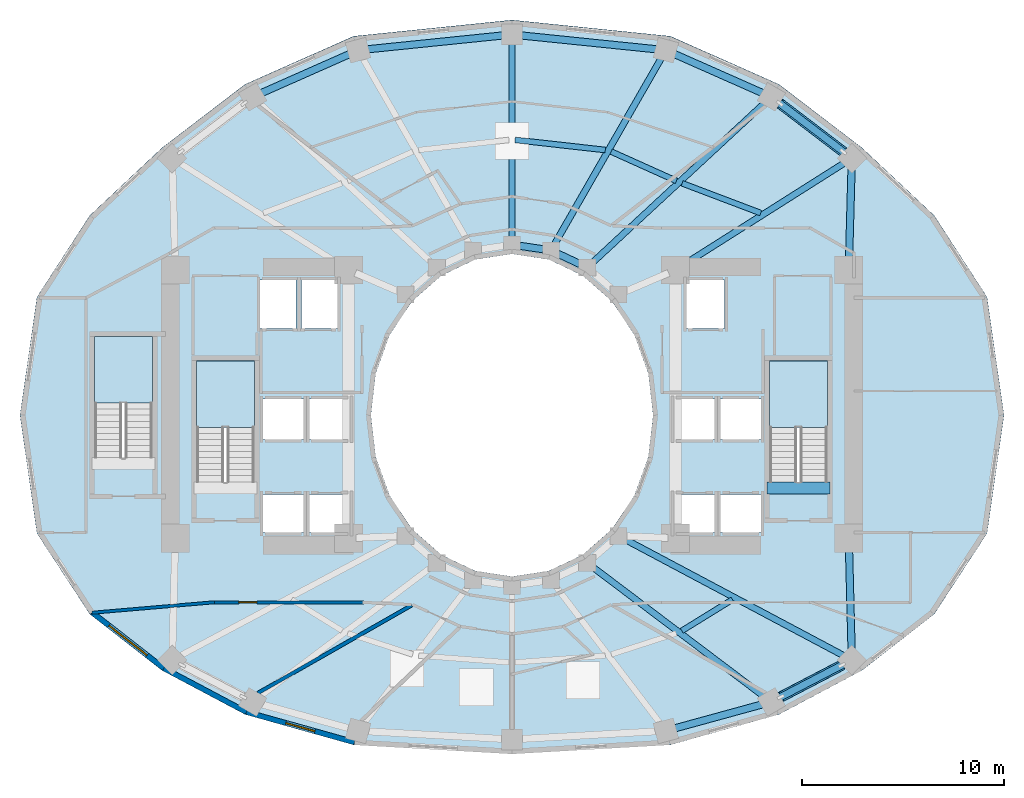
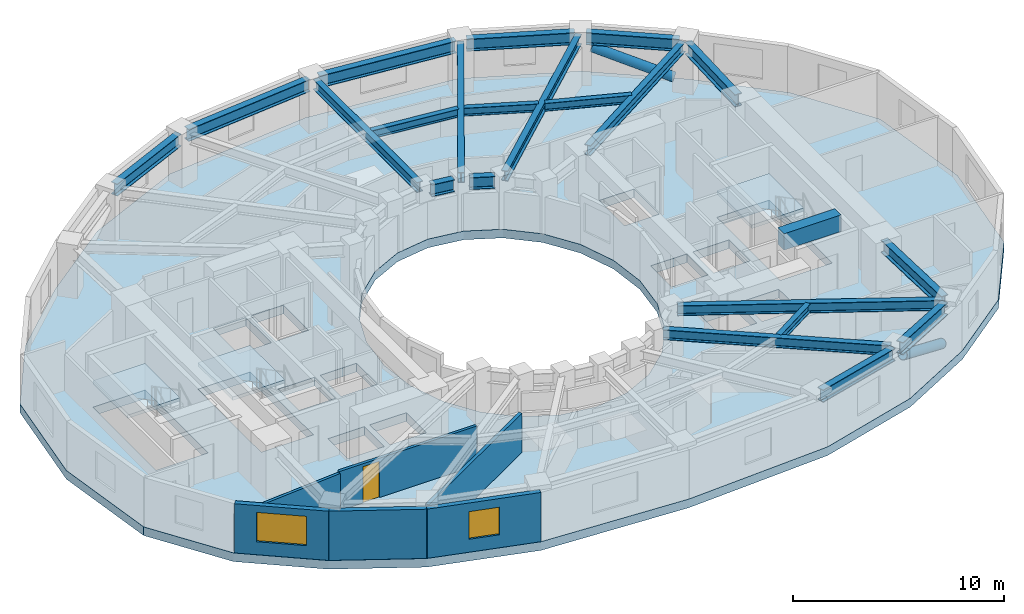
# One storey, part 2 of 9: 22 beams, 6 walls, 4 slabs, 2 members, 2 windows, 1 door, 3 openings, 3 elements without a shape of their own.
"""IFC4 building model written with IfcOpenShell, lengths in metres."""

from ifc_helpers import new_model, si_unit, direction, frame, frame_2d, origin, origin_2d, place, context, subcontext, project, spatial, polyline, rectangle, hollow_circle, i_section, outline, extrude, material, layer, layer_set, material_profile, profile_set, type_object, element, fill, aggregate, save


model = new_model("IFC4")

# Units and contexts
model_context = context("Model", 3, precision=1e-05, world=origin(), true_north=direction((0.0, 1.0)))
body_context = subcontext(model_context, "Body", "Model", "MODEL_VIEW")
ifc_project = project(units=[si_unit("LENGTHUNIT", "METRE"), si_unit("AREAUNIT", "SQUARE_METRE"), si_unit("VOLUMEUNIT", "CUBIC_METRE"), si_unit("PLANEANGLEUNIT", "RADIAN"), si_unit("MASSUNIT", "GRAM", prefix="KILO")], contexts=[model_context])

# Site, building, storey
site_placement = place(None, origin())
site = spatial("IfcSite", under=ifc_project, at=site_placement, CompositionType="ELEMENT")
building_placement = place(site_placement, origin())
building = spatial("IfcBuilding", under=site, at=building_placement, Name="Solvane Sanctuary Tower", CompositionType="ELEMENT")
storey_placement = place(building_placement, frame((0.0, 0.0, 76.300048828125)))
storey = spatial("IfcBuildingStorey", under=building, at=storey_placement, Name="L22", CompositionType="ELEMENT", Elevation=76.300048828125)

# Beams
ifc_material_1 = material(Name="Concrete C70/85", Category="concrete")
ifc_material_profile_1 = material_profile(ifc_material_1, rectangle(XDim=0.60009765625, YDim=0.949951171875, at=origin_2d()), Name="RC600X950")
ifc_profile_set_1 = profile_set([ifc_material_profile_1], Name="Concrete C70/85")
beam_type_1 = type_object("IfcBeamType", Name="Beam B-COUPLE RC600X950", PredefinedType="LINTEL", material=ifc_profile_set_1)
beam_1_placement = place(storey_placement, frame((44.64990234375, 19.399169921875, 2.625), z_axis=(1.0, 0.0, 0.0), x_axis=(0.0, 1.0, 0.0)))
element("IfcBeam", 1, at=beam_1_placement, inside=storey, type_object=beam_type_1, Name="L22 ST-2 Stair Floor Landing Trimmer", PredefinedType="LINTEL", context=body_context, shape_type="SweptSolid", body=[
    extrude(rectangle(XDim=0.60009765625, YDim=0.949951171875, at=origin_2d()), origin(), (0.0, 0.0, 1.0), 3.1201171875),
])
ifc_material_2 = material(Name="Steel ASTM A992 Grade 50", Category="steel")
ifc_material_profile_2 = material_profile(ifc_material_2, i_section(OverallWidth=0.31494140625, OverallDepth=0.575927734375, WebThickness=0.01513671875, FlangeThickness=0.0244140625, FilletRadius=0.014892578125, at=origin_2d()), Name="W21X122")
ifc_profile_set_2 = profile_set([ifc_material_profile_2], Name="Steel ASTM A992 Grade 50")
beam_type_2 = type_object("IfcBeamType", Name="Beam B-RAD-Z2 W21X122", PredefinedType="BEAM", material=ifc_profile_set_2)
beam_2_placement = place(storey_placement, frame((40.404052734375, 30.392578125, 2.58984375), z_axis=(0.844853889678, 0.534997107558, 0.0), x_axis=(-0.534997107558, 0.844853889678, 0.0)))
element("IfcBeam", 2, at=beam_2_placement, inside=storey, type_object=beam_type_2, Name="L22 Radial Composite Floor Beam 01", PredefinedType="BEAM", context=body_context, shape_type="SweptSolid", body=[
    extrude(i_section(OverallWidth=0.31494140625, OverallDepth=0.575927734375, WebThickness=0.01513671875, FlangeThickness=0.0244140625, FilletRadius=0.014892578125, at=origin_2d()), origin(), (0.0, 0.0, 1.0), 9.720458984375),
])
beam_3_placement = place(storey_placement, frame((35.935302734375, 30.516845703125, 2.58984375), z_axis=(0.733453775248, 0.679739332078, 0.0), x_axis=(-0.679739332078, 0.733453775248, 0.0)))
element("IfcBeam", 3, at=beam_3_placement, inside=storey, type_object=beam_type_2, Name="L22 Radial Composite Floor Beam 02", PredefinedType="BEAM", context=body_context, shape_type="SweptSolid", body=[
    extrude(i_section(OverallWidth=0.31494140625, OverallDepth=0.575927734375, WebThickness=0.01513671875, FlangeThickness=0.0244140625, FilletRadius=0.014892578125, at=origin_2d()), origin(), (0.0, 0.0, 1.0), 11.885498046875),
])
beam_4_placement = place(storey_placement, frame((34.0703125, 31.41455078125, 2.58984375), z_axis=(0.497792245326, 0.8672963049, 0.0), x_axis=(-0.8672963049, 0.497792245326, 0.0)))
element("IfcBeam", 4, at=beam_4_placement, inside=storey, type_object=beam_type_2, Name="L22 Radial Composite Floor Beam 03", PredefinedType="BEAM", context=body_context, shape_type="SweptSolid", body=[
    extrude(i_section(OverallWidth=0.31494140625, OverallDepth=0.575927734375, WebThickness=0.01513671875, FlangeThickness=0.0244140625, FilletRadius=0.014892578125, at=origin_2d()), origin(), (0.0, 0.0, 1.0), 10.887451171875),
])
beam_5_placement = place(storey_placement, frame((32.0, 31.739990234375, 2.58984375), z_axis=(0.0, 1.0, 0.0), x_axis=(-1.0, 0.0, 0.0)))
element("IfcBeam", 5, at=beam_5_placement, inside=storey, type_object=beam_type_2, Name="L22 Radial Composite Floor Beam 04", PredefinedType="BEAM", context=body_context, shape_type="SweptSolid", body=[
    extrude(i_section(OverallWidth=0.31494140625, OverallDepth=0.575927734375, WebThickness=0.01513671875, FlangeThickness=0.0244140625, FilletRadius=0.014892578125, at=origin_2d()), origin(), (0.0, 0.0, 1.0), 9.860107421875),
])
beam_6_placement = place(storey_placement, frame((35.95361328125, 15.504638671875, 2.58984375), z_axis=(0.798116040134, -0.602503764703, 0.0), x_axis=(0.602503764703, 0.798116040134, 0.0)))
element("IfcBeam", 6, at=beam_6_placement, inside=storey, type_object=beam_type_2, Name="L22 Radial Composite Floor Beam 13", PredefinedType="BEAM", context=body_context, shape_type="SweptSolid", body=[
    extrude(i_section(OverallWidth=0.31494140625, OverallDepth=0.575927734375, WebThickness=0.01513671875, FlangeThickness=0.0244140625, FilletRadius=0.014892578125, at=origin_2d()), origin(), (0.0, 0.0, 1.0), 10.876953125),
])
beam_7_placement = place(storey_placement, frame((37.522216796875, 16.886474609375, 2.58984375), z_axis=(0.882951984843, -0.469463302572, 0.0), x_axis=(0.469463302572, 0.882951984843, 0.0)))
element("IfcBeam", 7, at=beam_7_placement, inside=storey, type_object=beam_type_2, Name="L22 Radial Composite Floor Beam 14", PredefinedType="BEAM", context=body_context, shape_type="SweptSolid", body=[
    extrude(i_section(OverallWidth=0.31494140625, OverallDepth=0.575927734375, WebThickness=0.01513671875, FlangeThickness=0.0244140625, FilletRadius=0.014892578125, at=origin_2d()), origin(), (0.0, 0.0, 1.0), 12.552734375),
])
ifc_material_profile_3 = material_profile(ifc_material_2, i_section(OverallWidth=0.35498046875, OverallDepth=0.695068359375, WebThickness=0.015380859375, FlangeThickness=0.02490234375, FilletRadius=0.01806640625, at=origin_2d()), Name="W27X146")
ifc_profile_set_3 = profile_set([ifc_material_profile_3], Name="Steel ASTM A992 Grade 50")
beam_type_3 = type_object("IfcBeamType", Name="Beam B-RING-IN1 W27X146", PredefinedType="BEAM", material=ifc_profile_set_3)
beam_8_placement = place(storey_placement, frame((32.390625, 31.401611328125, 2.530517578125), z_axis=(0.989034751611, -0.147682971619, 0.0), x_axis=(0.147682971619, 0.989034751611, 0.0)))
element("IfcBeam", 8, at=beam_8_placement, inside=storey, type_object=beam_type_3, Name="L22 Inner Light-Well Ring Beam IC04-IC03", PredefinedType="BEAM", context=body_context, shape_type="SweptSolid", body=[
    extrude(i_section(OverallWidth=0.35498046875, OverallDepth=0.695068359375, WebThickness=0.015380859375, FlangeThickness=0.02490234375, FilletRadius=0.01806640625, at=origin_2d()), origin(), (0.0, 0.0, 1.0), 1.162109375),
])
beam_9_placement = place(storey_placement, frame((34.288330078125, 31.00390625, 2.530517578125), z_axis=(0.905044882818, -0.425316070804, 0.0), x_axis=(0.425316070804, 0.905044882818, 0.0)))
element("IfcBeam", 9, at=beam_9_placement, inside=storey, type_object=beam_type_3, Name="L22 Inner Light-Well Ring Beam IC03-IC02", PredefinedType="BEAM", context=body_context, shape_type="SweptSolid", body=[
    extrude(i_section(OverallWidth=0.35498046875, OverallDepth=0.695068359375, WebThickness=0.015380859375, FlangeThickness=0.02490234375, FilletRadius=0.01806640625, at=origin_2d()), origin(), (0.0, 0.0, 1.0), 1.197998046875),
])
ifc_material_profile_4 = material_profile(ifc_material_2, i_section(OverallWidth=0.280029296875, OverallDepth=0.462890625, WebThickness=0.0107421875, FlangeThickness=0.017333984375, FilletRadius=0.013916015625, at=origin_2d()), Name="W18X76")
ifc_profile_set_4 = profile_set([ifc_material_profile_4], Name="Steel ASTM A992 Grade 50")
beam_type_4 = type_object("IfcBeamType", Name="Beam B-SEC-JOIST W18X76", PredefinedType="JOIST", material=ifc_profile_set_4)
beam_10_placement = place(storey_placement, frame((32.151611328125, 36.653076171875, 2.646484375), z_axis=(0.993814804173, -0.111050146357, 0.0), x_axis=(0.111050146357, 0.993814804173, 0.0)))
element("IfcBeam", 10, at=beam_10_placement, inside=storey, type_object=beam_type_4, Name="L22 Secondary Circumferential Joist 04-03", PredefinedType="JOIST", context=body_context, shape_type="SweptSolid", body=[
    extrude(i_section(OverallWidth=0.280029296875, OverallDepth=0.462890625, WebThickness=0.0107421875, FlangeThickness=0.017333984375, FilletRadius=0.013916015625, at=origin_2d()), origin(), (0.0, 0.0, 1.0), 4.504638671875),
])
beam_11_placement = place(storey_placement, frame((36.919189453125, 36.073486328125, 2.646484375), z_axis=(0.912083673068, -0.410004113787, 0.0), x_axis=(0.410004113787, 0.912083673068, 0.0)))
element("IfcBeam", 11, at=beam_11_placement, inside=storey, type_object=beam_type_4, Name="L22 Secondary Circumferential Joist 03-02", PredefinedType="JOIST", context=body_context, shape_type="SweptSolid", body=[
    extrude(i_section(OverallWidth=0.280029296875, OverallDepth=0.462890625, WebThickness=0.0107421875, FlangeThickness=0.017333984375, FilletRadius=0.013916015625, at=origin_2d()), origin(), (0.0, 0.0, 1.0), 3.5478515625),
])
beam_12_placement = place(storey_placement, frame((40.436767578125, 34.50244140625, 2.646484375), z_axis=(0.93509327646, -0.354401699091, 0.0), x_axis=(0.354401699091, 0.93509327646, 0.0)))
element("IfcBeam", 12, at=beam_12_placement, inside=storey, type_object=beam_type_4, Name="L22 Secondary Circumferential Joist 02-01", PredefinedType="JOIST", context=body_context, shape_type="SweptSolid", body=[
    extrude(i_section(OverallWidth=0.280029296875, OverallDepth=0.462890625, WebThickness=0.0107421875, FlangeThickness=0.017333984375, FilletRadius=0.013916015625, at=origin_2d()), origin(), (0.0, 0.0, 1.0), 4.167724609375),
])
beam_13_placement = place(storey_placement, frame((40.423828125, 12.30810546875, 2.646484375), z_axis=(0.85065981691, 0.525716535687, 0.0), x_axis=(-0.525716535687, 0.85065981691, 0.0)))
element("IfcBeam", 13, at=beam_13_placement, inside=storey, type_object=beam_type_4, Name="L22 Secondary Circumferential Joist 13-14", PredefinedType="JOIST", context=body_context, shape_type="SweptSolid", body=[
    extrude(i_section(OverallWidth=0.280029296875, OverallDepth=0.462890625, WebThickness=0.0107421875, FlangeThickness=0.017333984375, FilletRadius=0.013916015625, at=origin_2d()), origin(), (0.0, 0.0, 1.0), 2.951171875),
])
ifc_material_profile_5 = material_profile(ifc_material_2, i_section(OverallWidth=0.35791015625, OverallDepth=0.7060546875, WebThickness=0.018310546875, FlangeThickness=0.0302734375, FilletRadius=0.01806640625, at=origin_2d()), Name="W27X178")
ifc_profile_set_5 = profile_set([ifc_material_profile_5], Name="Steel ASTM A992 Grade 50")
beam_type_5 = type_object("IfcBeamType", Name="Beam B-SPAND-Z2 W27X178", PredefinedType="SPANDREL", material=ifc_profile_set_5)
beam_14_placement = place(storey_placement, frame((19.397705078125, 38.8994140625, 2.52490234375), z_axis=(0.914454505181, 0.404688717355, 0.0), x_axis=(-0.404688717355, 0.914454505181, 0.0)))
element("IfcBeam", 14, at=beam_14_placement, inside=storey, type_object=beam_type_5, Name="L22 Perimeter Spandrel Beam TC06-TC05", PredefinedType="SPANDREL", context=body_context, shape_type="SweptSolid", body=[
    extrude(i_section(OverallWidth=0.35791015625, OverallDepth=0.7060546875, WebThickness=0.018310546875, FlangeThickness=0.0302734375, FilletRadius=0.01806640625, at=origin_2d()), origin(), (0.0, 0.0, 1.0), 5.157958984375),
])
for number, where, z_axis, x_axis, name in (
    (15, (24.649169921875, 41.12841796875, 2.52490234375), (0.994813029025, 0.101720387737, 0.0), (-0.101720387737, 0.994813029025, 0.0), "L22 Perimeter Spandrel Beam TC05-TC04"),
    (16, (32.278564453125, 41.8515625, 2.52490234375), (0.994813029025, -0.101720387737, 0.0), (0.101720387737, 0.994813029025, 0.0), "L22 Perimeter Spandrel Beam TC04-TC03"),
):
    element("IfcBeam", number, at=place(storey_placement, frame(where, z_axis=z_axis, x_axis=x_axis)), inside=storey, type_object=beam_type_5, Name=name, PredefinedType="SPANDREL", context=body_context, shape_type="SweptSolid", body=[
        extrude(i_section(OverallWidth=0.35791015625, OverallDepth=0.7060546875, WebThickness=0.018310546875, FlangeThickness=0.0302734375, FilletRadius=0.01806640625, at=origin_2d()), origin(), (0.0, 0.0, 1.0), 7.109130859375),
    ])
beam_15_placement = place(storey_placement, frame((39.885498046875, 40.98681640625, 2.52490234375), z_axis=(0.914454505181, -0.404688717355, 0.0), x_axis=(0.404688717355, 0.914454505181, 0.0)))
element("IfcBeam", 17, at=beam_15_placement, inside=storey, type_object=beam_type_5, Name="L22 Perimeter Spandrel Beam TC03-TC02", PredefinedType="SPANDREL", context=body_context, shape_type="SweptSolid", body=[
    extrude(i_section(OverallWidth=0.35791015625, OverallDepth=0.7060546875, WebThickness=0.018310546875, FlangeThickness=0.0302734375, FilletRadius=0.01806640625, at=origin_2d()), origin(), (0.0, 0.0, 1.0), 5.157958984375),
])
beam_16_placement = place(storey_placement, frame((45.0810546875, 38.616455078125, 2.52490234375), z_axis=(0.795473167932, -0.605988811036, 0.0), x_axis=(0.605988811036, 0.795473167932, 0.0)))
element("IfcBeam", 18, at=beam_16_placement, inside=storey, type_object=beam_type_5, Name="L22 Perimeter Spandrel Beam TC02-TC01", PredefinedType="SPANDREL", context=body_context, shape_type="SweptSolid", body=[
    extrude(i_section(OverallWidth=0.35791015625, OverallDepth=0.7060546875, WebThickness=0.018310546875, FlangeThickness=0.0302734375, FilletRadius=0.01806640625, at=origin_2d()), origin(), (0.0, 0.0, 1.0), 4.4619140625),
])
beam_17_placement = place(storey_placement, frame((48.84521484375, 35.462890625, 2.52490234375), z_axis=(-0.027574028772, -0.999619764179, 0.0), x_axis=(0.999619764179, -0.027574028772, 0.0)))
element("IfcBeam", 19, at=beam_17_placement, inside=storey, type_object=beam_type_5, Name="L22 Perimeter Spandrel Beam TC01-CE3", PredefinedType="SPANDREL", context=body_context, shape_type="SweptSolid", body=[
    extrude(i_section(OverallWidth=0.35791015625, OverallDepth=0.7060546875, WebThickness=0.018310546875, FlangeThickness=0.0302734375, FilletRadius=0.01806640625, at=origin_2d()), origin(), (0.0, 0.0, 1.0), 4.98486328125),
])
beam_18_placement = place(storey_placement, frame((39.8994140625, 7.422119140625, 2.52490234375), z_axis=(0.964367605241, 0.26456591232, 0.0), x_axis=(-0.26456591232, 0.964367605241, 0.0)))
element("IfcBeam", 20, at=beam_18_placement, inside=storey, type_object=beam_type_5, Name="L22 Perimeter Spandrel Beam TC12-TC13", PredefinedType="SPANDREL", context=body_context, shape_type="SweptSolid", body=[
    extrude(i_section(OverallWidth=0.35791015625, OverallDepth=0.7060546875, WebThickness=0.018310546875, FlangeThickness=0.0302734375, FilletRadius=0.01806640625, at=origin_2d()), origin(), (0.0, 0.0, 1.0), 4.8623046875),
])
beam_19_placement = place(storey_placement, frame((45.106689453125, 8.911865234375, 2.52490234375), z_axis=(0.887014995188, 0.461740618002, 0.0), x_axis=(-0.461740618002, 0.887014995188, 0.0)))
element("IfcBeam", 21, at=beam_19_placement, inside=storey, type_object=beam_type_5, Name="L22 Perimeter Spandrel Beam TC13-TC14", PredefinedType="SPANDREL", context=body_context, shape_type="SweptSolid", body=[
    extrude(i_section(OverallWidth=0.35791015625, OverallDepth=0.7060546875, WebThickness=0.018310546875, FlangeThickness=0.0302734375, FilletRadius=0.01806640625, at=origin_2d()), origin(), (0.0, 0.0, 1.0), 3.943359375),
])
beam_20_placement = place(storey_placement, frame((48.845947265625, 11.141845703125, 2.52490234375), z_axis=(-0.025349487585, 0.999678650107, 0.0), x_axis=(-0.999678650107, -0.025349487585, 0.0)))
element("IfcBeam", 22, at=beam_20_placement, inside=storey, type_object=beam_type_5, Name="L22 Perimeter Spandrel Beam TC14-CE2", PredefinedType="SPANDREL", context=body_context, shape_type="SweptSolid", body=[
    extrude(i_section(OverallWidth=0.35791015625, OverallDepth=0.7060546875, WebThickness=0.018310546875, FlangeThickness=0.0302734375, FilletRadius=0.01806640625, at=origin_2d()), origin(), (0.0, 0.0, 1.0), 5.47998046875),
])

# Members
ifc_material_profile_6 = material_profile(ifc_material_2, hollow_circle(Radius=0.25390625, WallThickness=0.01611328125, at=origin_2d()), Name="CHS508X16")
ifc_profile_set_6 = profile_set([ifc_material_profile_6], Name="Steel ASTM A992 Grade 50")
member_type = type_object("IfcMemberType", Name="Member M-TUBE-Z2 CHS508X16", PredefinedType="BRACE", material=ifc_profile_set_6)
member_1_placement = place(storey_placement, frame((48.424072265625, 36.069580078125, 0.572265625), z_axis=(-0.749170118041, 0.570768517947, 0.336106282529), x_axis=(-0.606024564443, -0.795445929836, 0.0)))
element("IfcMember", 23, at=member_1_placement, inside=storey, type_object=member_type, Name="L22 Perimeter Braced-Tube Diagonal NE", PredefinedType="BRACE", context=body_context, shape_type="SweptSolid", body=[
    extrude(hollow_circle(Radius=0.25390625, WallThickness=0.01611328125, at=origin_2d()), origin(), (0.0, 0.0, 1.0), 4.1875),
])
member_2_placement = place(storey_placement, frame((48.3564453125, 10.603515625, 0.6025390625), z_axis=(-0.824120276772, -0.429061570014, 0.369772820188), x_axis=(0.461792399626, -0.886988038052, 0.0)))
element("IfcMember", 24, at=member_2_placement, inside=storey, type_object=member_type, Name="L22 Perimeter Braced-Tube Diagonal SE", PredefinedType="BRACE", context=body_context, shape_type="SweptSolid", body=[
    extrude(hollow_circle(Radius=0.25390625, WallThickness=0.01611328125, at=origin_2d()), origin(), (0.0, 0.0, 1.0), 3.6689453125),
])

# Stair, slab
ifc_material_3 = material(Name="Concrete C45/55", Category="concrete")
stair_type = type_object("IfcStairType", Name="Stair ST-TOW", PredefinedType="HALF_TURN_STAIR", material=ifc_material_3)
stair_1_placement = place(storey_placement, origin())
stair_1 = element("IfcStair", 25, at=stair_1_placement, inside=storey, type_object=stair_type, Name="L22 Exit Stair ST-1 West Core", PredefinedType="HALF_TURN_STAIR")
ifc_layer_1 = layer(ifc_material_3, 0.199951171875, Name="Concrete C45/55")
ifc_layer_set_1 = layer_set([ifc_layer_1], Name="Concrete C45/55")
slab_type_1 = type_object("IfcSlabType", Name="Slab SL-LAND-180", PredefinedType="LANDING", material=ifc_layer_set_1)
slab_1_placement = place(storey_placement, frame((0.0, 0.0, 1.349853515625)))
slab_1 = element("IfcSlab", 26, at=slab_1_placement, type_object=slab_type_1, Name="ST-1 landing 1", PredefinedType="LANDING", context=body_context, shape_type="SweptSolid", body=[
    extrude(outline(polyline([(19.219970703125, 22.39990234375), (19.219970703125, 25.699951171875), (16.360107421875, 25.699951171875), (16.360107421875, 22.39990234375), (19.219970703125, 22.39990234375)])), origin(), (0.0, 0.0, 1.0), 0.2001953125),
])
aggregate(stair_1, [slab_1])

stair_2_placement = place(storey_placement, origin())
stair_2 = element("IfcStair", 27, at=stair_2_placement, inside=storey, type_object=stair_type, Name="L22 Exit Stair ST-2 East Core", PredefinedType="HALF_TURN_STAIR")
slab_2_placement = place(storey_placement, frame((0.0, 0.0, 1.349853515625)))
slab_2 = element("IfcSlab", 28, at=slab_2_placement, type_object=slab_type_1, Name="ST-2 landing 1", PredefinedType="LANDING", context=body_context, shape_type="SweptSolid", body=[
    extrude(outline(polyline([(47.639892578125, 22.39990234375), (47.639892578125, 25.699951171875), (44.780029296875, 25.699951171875), (44.780029296875, 22.39990234375), (47.639892578125, 22.39990234375)])), origin(), (0.0, 0.0, 1.0), 0.2001953125),
])
aggregate(stair_2, [slab_2])

stair_3_placement = place(storey_placement, origin())
stair_3 = element("IfcStair", 29, at=stair_3_placement, inside=storey, type_object=stair_type, Name="L22 Exit Stair ST-3 Pilgrim Tower Stair", PredefinedType="HALF_TURN_STAIR")
slab_3_placement = place(storey_placement, frame((0.0, 0.0, 1.349853515625)))
slab_3 = element("IfcSlab", 30, at=slab_3_placement, type_object=slab_type_1, Name="ST-3 landing 1", PredefinedType="LANDING", context=body_context, shape_type="SweptSolid", body=[
    extrude(outline(polyline([(14.159912109375, 23.60009765625), (14.159912109375, 26.89990234375), (11.300048828125, 26.89990234375), (11.300048828125, 23.60009765625), (14.159912109375, 23.60009765625)])), origin(), (0.0, 0.0, 1.0), 0.2001953125),
])
aggregate(stair_3, [slab_3])

# Slab
ifc_material_4 = material(Name="Concrete C60/75", Category="concrete")
ifc_layer_2 = layer(ifc_material_4, 0.5, Name="Concrete C60/75")
ifc_layer_set_2 = layer_set([ifc_layer_2], Name="Concrete C60/75")
slab_type_2 = type_object("IfcSlabType", Name="Slab SL-XFER-500", PredefinedType="FLOOR", material=ifc_layer_set_2)
slab_4_placement = place(storey_placement, frame((0.0, 0.0, -0.5)))
element("IfcSlab", 31, at=slab_4_placement, inside=storey, type_object=slab_type_2, Name="L22 Primary Structural Slab", PredefinedType="FLOOR", context=body_context, shape_type="SweptSolid", body=[
    extrude(outline(polyline([(56.39990234375, 23.0), (55.556884765625, 28.86376953125), (52.94091796875, 32.903076171875), (49.365478515625, 36.255126953125), (45.249267578125, 39.404296875), (39.861328125, 41.795166015625), (32.0, 42.60009765625), (24.138671875, 41.795166015625), (18.750732421875, 39.404296875), (14.634521484375, 36.255126953125), (11.05908203125, 32.903076171875), (8.443115234375, 28.86376953125), (7.60009765625, 23.0), (8.443115234375, 17.13623046875), (11.05908203125, 13.1376953125), (14.634521484375, 10.349609375), (18.750732421875, 8.16455078125), (24.138671875, 6.652587890625), (32.0, 6.199951171875), (39.861328125, 6.652587890625), (45.249267578125, 8.16455078125), (49.365478515625, 10.349609375), (52.94091796875, 13.1376953125), (55.556884765625, 17.13623046875), (56.39990234375, 23.0)]), holes=[polyline([(38.761474609375, 20.929443359375), (38.062255859375, 19.0), (36.94970703125, 17.343017578125), (35.5, 16.07177734375), (33.811767578125, 15.272705078125), (32.0, 15.0), (30.188232421875, 15.272705078125), (28.5, 16.07177734375), (27.05029296875, 17.343017578125), (25.937744140625, 19.0), (25.238525390625, 20.929443359375), (25.0, 23.0), (25.238525390625, 25.070556640625), (25.937744140625, 27.0), (27.05029296875, 28.656982421875), (28.5, 29.92822265625), (30.188232421875, 30.727294921875), (32.0, 31.0), (33.811767578125, 30.727294921875), (35.5, 29.92822265625), (36.94970703125, 28.656982421875), (38.062255859375, 27.0), (38.761474609375, 25.070556640625), (39.0, 23.0), (38.761474609375, 20.929443359375)]), polyline([(16.360107421875, 19.699951171875), (16.360107421875, 25.699951171875), (19.219970703125, 25.699951171875), (19.219970703125, 19.699951171875), (16.360107421875, 19.699951171875)]), polyline([(44.780029296875, 19.699951171875), (44.780029296875, 25.699951171875), (47.639892578125, 25.699951171875), (47.639892578125, 19.699951171875), (44.780029296875, 19.699951171875)]), polyline([(11.300048828125, 20.89990234375), (11.300048828125, 26.89990234375), (14.159912109375, 26.89990234375), (14.159912109375, 20.89990234375), (11.300048828125, 20.89990234375)]), polyline([(19.64990234375, 19.080078125), (21.64990234375, 19.080078125), (21.64990234375, 17.179931640625), (19.64990234375, 17.179931640625), (19.64990234375, 19.080078125)]), polyline([(21.949951171875, 19.080078125), (23.949951171875, 19.080078125), (23.949951171875, 17.179931640625), (21.949951171875, 17.179931640625), (21.949951171875, 19.080078125)]), polyline([(40.050048828125, 19.080078125), (42.050048828125, 19.080078125), (42.050048828125, 17.179931640625), (40.050048828125, 17.179931640625), (40.050048828125, 19.080078125)]), polyline([(42.35009765625, 19.080078125), (44.35009765625, 19.080078125), (44.35009765625, 17.179931640625), (42.35009765625, 17.179931640625), (42.35009765625, 19.080078125)]), polyline([(19.64990234375, 23.800048828125), (21.64990234375, 23.800048828125), (21.64990234375, 21.800048828125), (19.64990234375, 21.800048828125), (19.64990234375, 23.800048828125)]), polyline([(42.35009765625, 23.800048828125), (44.35009765625, 23.800048828125), (44.35009765625, 21.800048828125), (42.35009765625, 21.800048828125), (42.35009765625, 23.800048828125)]), polyline([(21.949951171875, 23.800048828125), (23.949951171875, 23.800048828125), (23.949951171875, 21.800048828125), (21.949951171875, 21.800048828125), (21.949951171875, 23.800048828125)]), polyline([(40.050048828125, 23.800048828125), (42.050048828125, 23.800048828125), (42.050048828125, 21.800048828125), (40.050048828125, 21.800048828125), (40.050048828125, 23.800048828125)]), polyline([(19.5, 29.699951171875), (21.300048828125, 29.699951171875), (21.300048828125, 27.300048828125), (19.5, 27.300048828125), (19.5, 29.699951171875)]), polyline([(21.550048828125, 29.699951171875), (23.35009765625, 29.699951171875), (23.35009765625, 27.300048828125), (21.550048828125, 27.300048828125), (21.550048828125, 29.699951171875)]), polyline([(40.64990234375, 29.699951171875), (42.550048828125, 29.699951171875), (42.550048828125, 27.300048828125), (40.64990234375, 27.300048828125), (40.64990234375, 29.699951171875)])]), origin(), (0.0, 0.0, 1.0), 0.5),
])

# Wall, opening, door
ifc_material_5 = material(Name="Acoustic Gypsum Partition Board")
ifc_layer_3 = layer(ifc_material_5, 0.14990234375, Name="Acoustic Gypsum Partition Board")
ifc_layer_set_3 = layer_set([ifc_layer_3], Name="Acoustic Gypsum Partition Board")
wall_type_1 = type_object("IfcWallType", Name="Wall W-CORR-150", PredefinedType="PARTITIONING", material=ifc_layer_set_3)
wall_1_placement = place(storey_placement, frame((17.14990234375, 13.719970703125, 0.0), z_axis=(0.0, 0.0, 1.0), x_axis=(1.0, 0.0, 0.0)))
wall_1 = element("IfcWall", 32, at=wall_1_placement, inside=storey, type_object=wall_type_1, Name="L22 SW Corner Corridor Wall", PredefinedType="PARTITIONING", context=body_context, shape_type="SweptSolid", body=[
    extrude(rectangle(XDim=7.52001953125, YDim=0.14990234375, at=frame_2d((3.760009765625, 0.0))), origin(), (0.0, 0.0, 1.0), 2.27197265625),
])
opening_1_placement = place(wall_1_placement, frame((1.300048828125, 0.0, 0.0)))
opening_1 = element("IfcOpeningElement", 33, at=opening_1_placement, cuts=wall_1, Name="Opening D-L22-13", PredefinedType="OPENING", context=body_context, shape_type="SweptSolid", body=[
    extrude(rectangle(XDim=0.89990234375, YDim=2.10009765625, at=frame_2d((0.449951171875, 1.050048828125))), frame((0.0, 0.0849609375, 0.0), z_axis=(0.0, -1.0, 0.0), x_axis=(1.0, 0.0, 0.0)), (0.0, 0.0, 1.0), 0.169921875),
])
ifc_material_6 = material(Name="Engineered Tropical Hardwood", Category="wood")
door_type = type_object("IfcDoorType", Name="Door D-WET-900", OperationType="NOTDEFINED", PredefinedType="DOOR", material=ifc_material_6)
door_placement = place(opening_1_placement, origin())
door = element("IfcDoor", 34, at=door_placement, inside=storey, type_object=door_type, Name="L22 SW Corner Salon Door", OperationType="SINGLE_SWING_RIGHT", OverallHeight=2.10009765625, OverallWidth=0.89990234375, PredefinedType="DOOR", context=body_context, shape_type="SweptSolid", body=[
    extrude(rectangle(XDim=0.89990234375, YDim=2.10009765625, at=frame_2d((0.449951171875, 1.050048828125))), frame((0.0, 0.02490234375, 0.0), z_axis=(0.0, -1.0, 0.0), x_axis=(1.0, 0.0, 0.0)), (0.0, 0.0, 1.0), 0.050048828125),
])
fill(opening_1, door)

# Wall
wall_2_placement = place(storey_placement, frame((17.249755859375, 13.724365234375, 0.0), z_axis=(0.0, 0.0, 1.0), x_axis=(-0.996341886029, -0.085456691633, 0.0)))
element("IfcWall", 35, at=wall_2_placement, inside=storey, type_object=wall_type_1, Name="L22 SW Corner Wing Wall", PredefinedType="PARTITIONING", context=body_context, shape_type="SweptSolid", body=[
    extrude(rectangle(XDim=6.108154296875, YDim=0.14990234375, at=frame_2d((3.05419921875, 0.0))), origin(), (0.0, 0.0, 1.0), 2.141845703125),
])

# Wall, opening, window
ifc_material_7 = material(Name="Precast concrete C40/50", Category="concrete")
ifc_layer_4 = layer(ifc_material_7, 0.260009765625, Name="Precast concrete C40/50")
ifc_layer_set_4 = layer_set([ifc_layer_4], Name="Precast concrete C40/50")
wall_type_2 = type_object("IfcWallType", Name="Wall W-EXT-250", PredefinedType="STANDARD", material=ifc_layer_set_4)
wall_3_placement = place(storey_placement, frame((11.179443359375, 13.213623046875, 0.0), z_axis=(0.0, 0.0, 1.0), x_axis=(0.789127449954, -0.614229491094, 0.0)))
wall_3 = element("IfcWall", 36, at=wall_3_placement, inside=storey, type_object=wall_type_2, Name="L22 Ceramic-Printed Facade Wall 14", PredefinedType="STANDARD", context=body_context, shape_type="SweptSolid", body=[
    extrude(rectangle(XDim=4.504638671875, YDim=0.260009765625, at=frame_2d((2.25244140625, 0.0))), origin(), (0.0, 0.0, 1.0), 2.849853515625),
])
opening_2_placement = place(wall_3_placement, frame((1.05224609375, 0.0, 0.75)))
opening_2 = element("IfcOpeningElement", 37, at=opening_2_placement, cuts=wall_3, Name="Opening WN-RIB-2400", PredefinedType="OPENING", context=body_context, shape_type="SweptSolid", body=[
    extrude(rectangle(XDim=2.39990234375, YDim=1.699951171875, at=frame_2d((1.199951171875, 0.85009765625))), frame((0.0, 0.139892578125, 0.0), z_axis=(0.0, -1.0, 0.0), x_axis=(1.0, 0.0, 0.0)), (0.0, 0.0, 1.0), 0.280029296875),
])
ifc_material_8 = material(Name="Dark Ceramic-Fritted Low-E Glass", Category="glass")
window_type_1 = type_object("IfcWindowType", Name="Window WN-RIB-2400", PartitioningType="SINGLE_PANEL", PredefinedType="WINDOW", material=ifc_material_8)
window_1_placement = place(opening_2_placement, origin())
window_1 = element("IfcWindow", 38, at=window_1_placement, inside=storey, type_object=window_type_1, Name="L22 Operable Facade Window 14", OverallHeight=1.699951171875, OverallWidth=2.39990234375, PartitioningType="SINGLE_PANEL", PredefinedType="WINDOW", context=body_context, shape_type="SweptSolid", body=[
    extrude(rectangle(XDim=2.39990234375, YDim=1.699951171875, at=frame_2d((1.199951171875, 0.85009765625))), frame((0.0, 0.030029296875, 0.0), z_axis=(0.0, -1.0, 0.0), x_axis=(1.0, 0.0, 0.0)), (0.0, 0.0, 1.0), 0.06005859375),
])
fill(opening_2, window_1)

# Wall
wall_4_placement = place(storey_placement, frame((14.734130859375, 10.44677734375, 0.0), z_axis=(0.0, 0.0, 1.0), x_axis=(0.883668636807, -0.4681129568, 0.0)))
element("IfcWall", 39, at=wall_4_placement, inside=storey, type_object=wall_type_2, Name="L22 Ceramic-Printed Facade Wall 15", PredefinedType="STANDARD", context=body_context, shape_type="SweptSolid", body=[
    extrude(rectangle(XDim=4.63134765625, YDim=0.260009765625, at=frame_2d((2.315673828125, 0.0))), origin(), (0.0, 0.0, 1.0), 2.849853515625),
])

# Wall, opening, window
wall_5_placement = place(storey_placement, frame((18.82666015625, 8.27880859375, 0.0), z_axis=(0.0, 0.0, 1.0), x_axis=(0.962938491413, -0.269721081407, 0.0)))
wall_5 = element("IfcWall", 40, at=wall_5_placement, inside=storey, type_object=wall_type_2, Name="L22 Ceramic-Printed Facade Wall 16", PredefinedType="STANDARD", context=body_context, shape_type="SweptSolid", body=[
    extrude(rectangle(XDim=5.563232421875, YDim=0.260009765625, at=frame_2d((2.78173828125, 0.0))), origin(), (0.0, 0.0, 1.0), 2.849853515625),
])
opening_3_placement = place(wall_5_placement, frame((2.031494140625, 0.0, 0.75)))
opening_3 = element("IfcOpeningElement", 41, at=opening_3_placement, cuts=wall_5, Name="Opening WN-OPER-1500", PredefinedType="OPENING", context=body_context, shape_type="SweptSolid", body=[
    extrude(rectangle(XDim=1.5, YDim=1.60009765625, at=frame_2d((0.75, 0.800048828125))), frame((0.0, 0.139892578125, 0.0), z_axis=(0.0, -1.0, 0.0), x_axis=(1.0, 0.0, 0.0)), (0.0, 0.0, 1.0), 0.280029296875),
])
window_type_2 = type_object("IfcWindowType", Name="Window WN-OPER-1500", PartitioningType="SINGLE_PANEL", PredefinedType="WINDOW", material=ifc_material_8)
window_2_placement = place(opening_3_placement, origin())
window_2 = element("IfcWindow", 42, at=window_2_placement, inside=storey, type_object=window_type_2, Name="L22 Operable Facade Window 16", OverallHeight=1.60009765625, OverallWidth=1.5, PartitioningType="SINGLE_PANEL", PredefinedType="WINDOW", context=body_context, shape_type="SweptSolid", body=[
    extrude(rectangle(XDim=1.5, YDim=1.60009765625, at=frame_2d((0.75, 0.800048828125))), frame((0.0, 0.030029296875, 0.0), z_axis=(0.0, -1.0, 0.0), x_axis=(1.0, 0.0, 0.0)), (0.0, 0.0, 1.0), 0.06005859375),
])
fill(opening_3, window_2)

# Wall
ifc_layer_5 = layer(ifc_material_5, 0.179931640625, Name="Acoustic Gypsum Partition Board")
ifc_layer_set_5 = layer_set([ifc_layer_5], Name="Acoustic Gypsum Partition Board")
wall_type_3 = type_object("IfcWallType", Name="Wall W-UNIT-180", PredefinedType="PARTITIONING", material=ifc_layer_set_5)
wall_6_placement = place(storey_placement, frame((27.027099609375, 13.576416015625, 0.0), z_axis=(0.0, 0.0, 1.0), x_axis=(-0.868484076301, -0.495717065685, 0.0)))
element("IfcWall", 43, at=wall_6_placement, inside=storey, type_object=wall_type_3, Name="L22 Radial Compartment Wall 240", PredefinedType="PARTITIONING", context=body_context, shape_type="SweptSolid", body=[
    extrude(rectangle(XDim=8.78857421875, YDim=0.179931640625, at=frame_2d((4.394287109375, 0.0))), origin(), (0.0, 0.0, 1.0), 2.27197265625),
])

save(model, "model.ifc")
